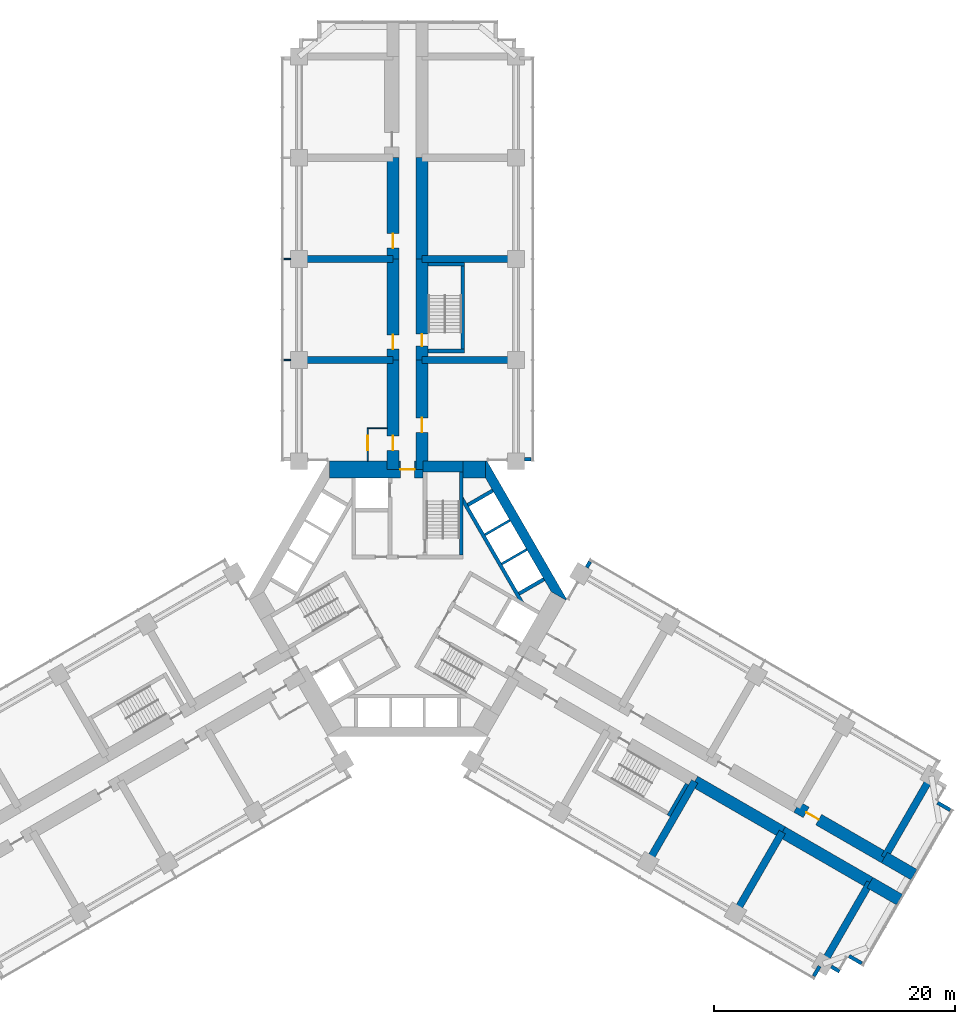
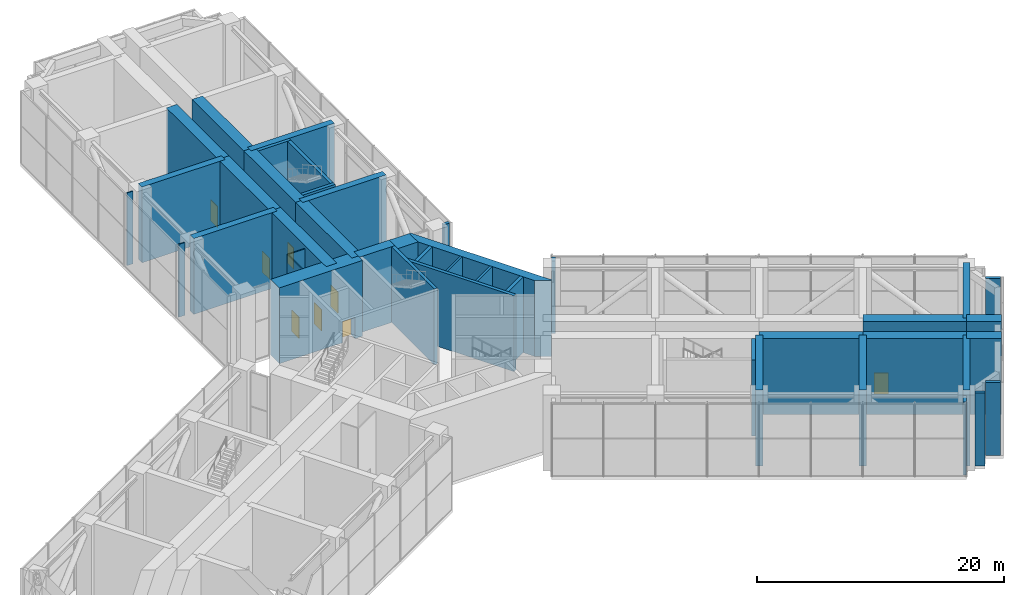
# One storey, part 15 of 19: 43 walls, 8 doors, 8 openings.
"""IFC4 building model written with IfcOpenShell, lengths in metres."""

from ifc_helpers import new_model, si_unit, direction, frame, frame_2d, origin, place, context, subcontext, project, spatial, polyline, rectangle, outline, extrude, material, layer, layer_set, type_object, element, fill, save


model = new_model("IFC4")

# Units and contexts
model_context = context("Model", 3, precision=1e-05, world=origin(), true_north=direction((0.0, 1.0)))
body_context = subcontext(model_context, "Body", "Model", "MODEL_VIEW")
ifc_project = project(units=[si_unit("LENGTHUNIT", "METRE"), si_unit("AREAUNIT", "SQUARE_METRE"), si_unit("VOLUMEUNIT", "CUBIC_METRE"), si_unit("PLANEANGLEUNIT", "RADIAN"), si_unit("MASSUNIT", "GRAM", prefix="KILO")], contexts=[model_context])

# Site, building, storey
site_placement = place(None, origin())
site = spatial("IfcSite", under=ifc_project, at=site_placement, CompositionType="ELEMENT")
building_placement = place(site_placement, origin())
building = spatial("IfcBuilding", under=site, at=building_placement, Name="Impinga Residences", CompositionType="ELEMENT")
storey_placement = place(building_placement, frame((0.0, 0.0, 93.5)))
storey = spatial("IfcBuildingStorey", under=building, at=storey_placement, Name="L23", CompositionType="ELEMENT", Elevation=93.5)

# Wall, opening, door
ifc_material_1 = material(Name="Concrete blockwork", Category="masonry")
ifc_layer_1 = layer(ifc_material_1, 0.10009765625)
ifc_layer_set_1 = layer_set([ifc_layer_1], Name="CP1 core room partition, blockwork 100")
wall_type_1 = type_object("IfcWallType", Name="CP1 core room partition, blockwork 100", PredefinedType="PARTITIONING", material=ifc_layer_set_1)
wall_1_placement = place(storey_placement, frame((-3.300048828125, 11.431640625, 0.0), z_axis=(0.0, 0.0, 1.0), x_axis=(0.0, 1.0, 0.0)))
wall_1 = element("IfcWall", 1, at=wall_1_placement, inside=storey, type_object=wall_type_1, Name="Core room partition, blockwork L23-NA1:L1", PredefinedType="PARTITIONING", context=body_context, shape_type="SweptSolid", body=[
    extrude(rectangle(XDim=2.7998046875, YDim=0.10009765625, at=frame_2d((1.39990234375, 0.0))), origin(), (0.0, 0.0, 1.0), 7.199951171875),
])
opening_1_placement = place(wall_1_placement, frame((0.89990234375, 0.0, 0.0)))
opening_1 = element("IfcOpeningElement", 2, at=opening_1_placement, cuts=wall_1, Name="Opening D3", PredefinedType="OPENING", context=body_context, shape_type="SweptSolid", body=[
    extrude(rectangle(XDim=1.199951171875, YDim=2.10009765625, at=frame_2d((0.60009765625, 1.050048828125))), frame((0.0, 0.06005859375, 0.0), z_axis=(0.0, -1.0, 0.0), x_axis=(1.0, 0.0, 0.0)), (0.0, 0.0, 1.0), 0.1201171875),
])
ifc_material_2 = material(Name="Timber door set", Category="wood")
door_type_1 = type_object("IfcDoorType", Name="D3 room door, leaf and a half 1200x2100", OperationType="DOUBLE_SWING_LEFT", PredefinedType="DOOR", material=ifc_material_2)
door_1_placement = place(opening_1_placement, origin())
door_1 = element("IfcDoor", 3, at=door_1_placement, inside=storey, type_object=door_type_1, Name="Air handling plant room door L23-NA1", OperationType="DOUBLE_SWING_LEFT", OverallHeight=2.10009765625, OverallWidth=1.199951171875, PredefinedType="DOOR", context=body_context, shape_type="SweptSolid", body=[
    extrude(rectangle(XDim=1.199951171875, YDim=2.10009765625, at=frame_2d((0.60009765625, 1.050048828125))), frame((0.0, 0.02490234375, 0.0), z_axis=(0.0, -1.0, 0.0), x_axis=(1.0, 0.0, 0.0)), (0.0, 0.0, 1.0), 0.050048828125),
])
fill(opening_1, door_1)

# Walls
wall_2_placement = place(storey_placement, frame((-1.699951171875, 14.181640625, 0.0), z_axis=(0.0, 0.0, 1.0), x_axis=(-1.0, 0.0, 0.0)))
element("IfcWall", 4, at=wall_2_placement, inside=storey, type_object=wall_type_1, Name="Core room partition, blockwork L23-NA1:L2", PredefinedType="PARTITIONING", context=body_context, shape_type="SweptSolid", body=[
    extrude(rectangle(XDim=1.550048828125, YDim=0.10009765625, at=frame_2d((0.77490234375, 0.0))), origin(), (0.0, 0.0, 1.0), 7.199951171875),
])
for number, where, z_axis, x_axis, name in (
    (5, (-9.699951171875, 19.83154296875, 0.0), (0.0, 0.0, 1.0), (-1.0, 0.0, 0.0), "Core room partition, blockwork L23-NA1:PS1b"),
    (6, (-9.699951171875, 28.2314453125, 0.0), (0.0, 0.0, 1.0), (-1.0, 0.0, 0.0), "Core room partition, blockwork L23-NA1:PS2b"),
):
    element("IfcWall", number, at=place(storey_placement, frame(where, z_axis=z_axis, x_axis=x_axis)), inside=storey, type_object=wall_type_1, Name=name, PredefinedType="PARTITIONING", context=body_context, shape_type="SweptSolid", body=[
        extrude(rectangle(XDim=0.5595703125, YDim=0.10009765625, at=frame_2d((0.27978515625, 0.0))), origin(), (0.0, 0.0, 1.0), 7.199951171875),
    ])
ifc_material_3 = material(Name="Stone facing on blockwork", Category="masonry")
ifc_layer_2 = layer(ifc_material_3, 0.300048828125)
ifc_layer_set_2 = layer_set([ifc_layer_2], Name="EW2 external wall, stone facing on blockwork 300")
wall_type_2 = type_object("IfcWallType", Name="EW2 external wall, stone facing on blockwork 300", PredefinedType="SOLIDWALL", material=ifc_layer_set_2)
wall_3_placement = place(storey_placement, frame((10.257568359375, 11.58154296875, 0.0), z_axis=(0.0, 0.0, 1.0), x_axis=(-1.0, 0.0, 0.0)))
element("IfcWall", 7, at=wall_3_placement, inside=storey, type_object=wall_type_2, Name="External wall EW2 L23", PredefinedType="SOLIDWALL", context=body_context, shape_type="SweptSolid", body=[
    extrude(rectangle(XDim=0.5546875, YDim=0.300048828125, at=frame_2d((0.27734375, 0.0))), origin(), (0.0, 0.0, 1.0), 7.199951171875),
])
wall_4_placement = place(storey_placement, frame((14.88134765625, 2.6123046875, 0.0), z_axis=(0.0, 0.0, 1.0), x_axis=(0.50011622646, 0.865958290007, 0.0)))
element("IfcWall", 8, at=wall_4_placement, inside=storey, type_object=wall_type_2, Name="External wall EW2 L23", PredefinedType="SOLIDWALL", context=body_context, shape_type="SweptSolid", body=[
    extrude(rectangle(XDim=0.554443359375, YDim=0.300048828125, at=frame_2d((0.27734375, 0.0))), origin(), (0.0, 0.0, 1.0), 7.199951171875),
])
for number, where, z_axis, x_axis, name in (
    (9, (44.00927734375, -16.921630859375, 0.0), (0.0, 0.0, 1.0), (0.865971428223, -0.500093476763, 0.0), "External wall EW2 L23"),
    (10, (37.71142578125, -30.259765625, 0.0), (0.0, 0.0, 1.0), (-0.866058436235, 0.499942781752, 0.0), "External wall EW2 L23"),
):
    element("IfcWall", number, at=place(storey_placement, frame(where, z_axis=z_axis, x_axis=x_axis)), inside=storey, type_object=wall_type_2, Name=name, PredefinedType="SOLIDWALL", context=body_context, shape_type="SweptSolid", body=[
        extrude(rectangle(XDim=1.215087890625, YDim=0.300048828125, at=frame_2d((0.607421875, 0.0))), origin(), (0.0, 0.0, 1.0), 7.199951171875),
    ])
wall_5_placement = place(storey_placement, frame((35.87255859375, -30.93017578125, 0.0), z_axis=(0.0, 0.0, 1.0), x_axis=(-0.865915193073, 0.500190841984, 0.0)))
element("IfcWall", 11, at=wall_5_placement, inside=storey, type_object=wall_type_2, Name="External wall EW2 L23", PredefinedType="SOLIDWALL", context=body_context, shape_type="SweptSolid", body=[
    extrude(rectangle(XDim=0.797119140625, YDim=0.300048828125, at=frame_2d((0.3984375, 0.0))), origin(), (0.0, 0.0, 1.0), 7.199951171875),
])
wall_6_placement = place(storey_placement, frame((34.218505859375, -30.494873046875, 0.0), z_axis=(0.0, 0.0, 1.0), x_axis=(-0.500060909899, -0.865990234582, 0.0)))
element("IfcWall", 12, at=wall_6_placement, inside=storey, type_object=wall_type_2, Name="External wall EW2 L23", PredefinedType="SOLIDWALL", context=body_context, shape_type="SweptSolid", body=[
    extrude(rectangle(XDim=0.95751953125, YDim=0.300048828125, at=frame_2d((0.478759765625, 0.0))), origin(), (0.0, 0.0, 1.0), 7.199951171875),
])

# Wall, opening, door
ifc_material_4 = material(Name="Concrete C60/75", Category="concrete")
ifc_layer_3 = layer(ifc_material_4, 1.0)
ifc_layer_set_3 = layer_set([ifc_layer_3], Name="Concrete C60/75")
wall_type_3 = type_object("IfcWallType", Name="OW1 outrigger wall on the corridor line 1000", PredefinedType="SHEAR", material=ifc_layer_set_3)
wall_7_placement = place(storey_placement, frame((-1.199951171875, 10.7314453125, 0.0), z_axis=(0.0, 0.0, 1.0), x_axis=(0.0, 1.0, 0.0)))
wall_7 = element("IfcWall", 13, at=wall_7_placement, inside=storey, type_object=wall_type_3, Name="Corridor wall OW1 NC L23", PredefinedType="SHEAR", context=body_context, shape_type="SweptSolid", body=[
    extrude(rectangle(XDim=9.10009765625, YDim=1.0, at=frame_2d((4.550048828125, 0.0))), origin(), (0.0, 0.0, 1.0), 7.5),
])
opening_2_placement = place(wall_7_placement, frame((1.60009765625, 0.0, 0.0)))
opening_2 = element("IfcOpeningElement", 14, at=opening_2_placement, cuts=wall_7, Name="Opening D3", PredefinedType="OPENING", context=body_context, shape_type="SweptSolid", body=[
    extrude(rectangle(XDim=1.199951171875, YDim=2.10009765625, at=frame_2d((0.60009765625, 1.050048828125))), frame((0.0, 0.510009765625, 0.0), z_axis=(0.0, -1.0, 0.0), x_axis=(1.0, 0.0, 0.0)), (0.0, 0.0, 1.0), 1.02001953125),
])
door_2_placement = place(opening_2_placement, origin())
door_2 = element("IfcDoor", 15, at=door_2_placement, inside=storey, type_object=door_type_1, Name="Plant room lobby door L23-NA1", OperationType="DOUBLE_SWING_LEFT", OverallHeight=2.10009765625, OverallWidth=1.199951171875, PredefinedType="DOOR", context=body_context, shape_type="SweptSolid", body=[
    extrude(rectangle(XDim=1.199951171875, YDim=2.10009765625, at=frame_2d((0.60009765625, 1.050048828125))), frame((0.0, 0.02490234375, 0.0), z_axis=(0.0, -1.0, 0.0), x_axis=(1.0, 0.0, 0.0)), (0.0, 0.0, 1.0), 0.050048828125),
])
fill(opening_2, door_2)

wall_8_placement = place(storey_placement, frame((-1.199951171875, 19.83154296875, 0.0), z_axis=(0.0, 0.0, 1.0), x_axis=(0.0, 1.0, 0.0)))
wall_8 = element("IfcWall", 16, at=wall_8_placement, inside=storey, type_object=wall_type_3, Name="Corridor wall OW1 NC L23", PredefinedType="SHEAR", context=body_context, shape_type="SweptSolid", body=[
    extrude(rectangle(XDim=8.39990234375, YDim=1.0, at=frame_2d((4.199951171875, 0.0))), origin(), (0.0, 0.0, 1.0), 7.5),
])
opening_3_placement = place(wall_8_placement, frame((0.89990234375, 0.0, 0.0)))
opening_3 = element("IfcOpeningElement", 17, at=opening_3_placement, cuts=wall_8, Name="Opening D3", PredefinedType="OPENING", context=body_context, shape_type="SweptSolid", body=[
    extrude(rectangle(XDim=1.199951171875, YDim=2.10009765625, at=frame_2d((0.60009765625, 1.050048828125))), frame((0.0, 0.510009765625, 0.0), z_axis=(0.0, -1.0, 0.0), x_axis=(1.0, 0.0, 0.0)), (0.0, 0.0, 1.0), 1.02001953125),
])
door_3_placement = place(opening_3_placement, origin())
door_3 = element("IfcDoor", 18, at=door_3_placement, inside=storey, type_object=door_type_1, Name="Booster pump plant room door L23-NA1", OperationType="DOUBLE_SWING_LEFT", OverallHeight=2.10009765625, OverallWidth=1.199951171875, PredefinedType="DOOR", context=body_context, shape_type="SweptSolid", body=[
    extrude(rectangle(XDim=1.199951171875, YDim=2.10009765625, at=frame_2d((0.60009765625, 1.050048828125))), frame((0.0, 0.02490234375, 0.0), z_axis=(0.0, -1.0, 0.0), x_axis=(1.0, 0.0, 0.0)), (0.0, 0.0, 1.0), 0.050048828125),
])
fill(opening_3, door_3)

wall_9_placement = place(storey_placement, frame((-1.199951171875, 28.2314453125, 0.0), z_axis=(0.0, 0.0, 1.0), x_axis=(0.0, 1.0, 0.0)))
wall_9 = element("IfcWall", 19, at=wall_9_placement, inside=storey, type_object=wall_type_3, Name="Corridor wall OW1 NC L23", PredefinedType="SHEAR", context=body_context, shape_type="SweptSolid", body=[
    extrude(rectangle(XDim=8.400146484375, YDim=1.0, at=frame_2d((4.2001953125, 0.0))), origin(), (0.0, 0.0, 1.0), 7.5),
])
opening_4_placement = place(wall_9_placement, frame((0.89990234375, 0.0, 0.0)))
opening_4 = element("IfcOpeningElement", 20, at=opening_4_placement, cuts=wall_9, Name="Opening D3", PredefinedType="OPENING", context=body_context, shape_type="SweptSolid", body=[
    extrude(rectangle(XDim=1.199951171875, YDim=2.10009765625, at=frame_2d((0.60009765625, 1.050048828125))), frame((0.0, 0.510009765625, 0.0), z_axis=(0.0, -1.0, 0.0), x_axis=(1.0, 0.0, 0.0)), (0.0, 0.0, 1.0), 1.02001953125),
])
door_4_placement = place(opening_4_placement, origin())
door_4 = element("IfcDoor", 21, at=door_4_placement, inside=storey, type_object=door_type_1, Name="Electrical switchgear plant room door L23-NA1", OperationType="DOUBLE_SWING_LEFT", OverallHeight=2.10009765625, OverallWidth=1.199951171875, PredefinedType="DOOR", context=body_context, shape_type="SweptSolid", body=[
    extrude(rectangle(XDim=1.199951171875, YDim=2.10009765625, at=frame_2d((0.60009765625, 1.050048828125))), frame((0.0, 0.02490234375, 0.0), z_axis=(0.0, -1.0, 0.0), x_axis=(1.0, 0.0, 0.0)), (0.0, 0.0, 1.0), 0.050048828125),
])
fill(opening_4, door_4)

wall_10_placement = place(storey_placement, frame((1.199951171875, 10.7314453125, 0.0), z_axis=(0.0, 0.0, 1.0), x_axis=(0.0, 1.0, 0.0)))
wall_10 = element("IfcWall", 22, at=wall_10_placement, inside=storey, type_object=wall_type_3, Name="Corridor wall OW1 ND L23", PredefinedType="SHEAR", context=body_context, shape_type="SweptSolid", body=[
    extrude(rectangle(XDim=9.10009765625, YDim=1.0, at=frame_2d((4.550048828125, 0.0))), origin(), (0.0, 0.0, 1.0), 7.5),
])
opening_5_placement = place(wall_10_placement, frame((3.10009765625, 0.0, 0.0)))
opening_5 = element("IfcOpeningElement", 23, at=opening_5_placement, cuts=wall_10, Name="Opening D3", PredefinedType="OPENING", context=body_context, shape_type="SweptSolid", body=[
    extrude(rectangle(XDim=1.199951171875, YDim=2.10009765625, at=frame_2d((0.60009765625, 1.050048828125))), frame((0.0, 0.510009765625, 0.0), z_axis=(0.0, -1.0, 0.0), x_axis=(1.0, 0.0, 0.0)), (0.0, 0.0, 1.0), 1.02001953125),
])
door_5_placement = place(opening_5_placement, origin())
door_5 = element("IfcDoor", 24, at=door_5_placement, inside=storey, type_object=door_type_1, Name="Refuge area door L23-NF1", OperationType="DOUBLE_SWING_LEFT", OverallHeight=2.10009765625, OverallWidth=1.199951171875, PredefinedType="DOOR", context=body_context, shape_type="SweptSolid", body=[
    extrude(rectangle(XDim=1.199951171875, YDim=2.10009765625, at=frame_2d((0.60009765625, 1.050048828125))), frame((0.0, 0.02490234375, 0.0), z_axis=(0.0, -1.0, 0.0), x_axis=(1.0, 0.0, 0.0)), (0.0, 0.0, 1.0), 0.050048828125),
])
fill(opening_5, door_5)

wall_11_placement = place(storey_placement, frame((1.199951171875, 19.83154296875, 0.0), z_axis=(0.0, 0.0, 1.0), x_axis=(0.0, 1.0, 0.0)))
wall_11 = element("IfcWall", 25, at=wall_11_placement, inside=storey, type_object=wall_type_3, Name="Corridor wall OW1 ND L23", PredefinedType="SHEAR", context=body_context, shape_type="SweptSolid", body=[
    extrude(rectangle(XDim=8.39990234375, YDim=1.0, at=frame_2d((4.199951171875, 0.0))), origin(), (0.0, 0.0, 1.0), 7.5),
])
opening_6_placement = place(wall_11_placement, frame((1.14990234375, 0.0, 0.0)))
opening_6 = element("IfcOpeningElement", 26, at=opening_6_placement, cuts=wall_11, Name="Opening D5", PredefinedType="OPENING", context=body_context, shape_type="SweptSolid", body=[
    extrude(rectangle(XDim=1.0, YDim=2.10009765625, at=frame_2d((0.5, 1.050048828125))), frame((0.0, 0.510009765625, 0.0), z_axis=(0.0, -1.0, 0.0), x_axis=(1.0, 0.0, 0.0)), (0.0, 0.0, 1.0), 1.02001953125),
])
door_type_2 = type_object("IfcDoorType", Name="D5 stair door 1000x2100", OperationType="SINGLE_SWING_LEFT", PredefinedType="DOOR", material=ifc_material_2)
door_6_placement = place(opening_6_placement, origin())
door_6 = element("IfcDoor", 27, at=door_6_placement, inside=storey, type_object=door_type_2, Name="Wing stair door N", OperationType="SINGLE_SWING_LEFT", OverallHeight=2.10009765625, OverallWidth=1.0, PredefinedType="DOOR", context=body_context, shape_type="SweptSolid", body=[
    extrude(rectangle(XDim=1.0, YDim=2.10009765625, at=frame_2d((0.5, 1.050048828125))), frame((0.0, 0.02490234375, 0.0), z_axis=(0.0, -1.0, 0.0), x_axis=(1.0, 0.0, 0.0)), (0.0, 0.0, 1.0), 0.050048828125),
])
fill(opening_6, door_6)

# Wall
wall_12_placement = place(storey_placement, frame((1.199951171875, 28.2314453125, 0.0), z_axis=(0.0, 0.0, 1.0), x_axis=(0.0, 1.0, 0.0)))
element("IfcWall", 28, at=wall_12_placement, inside=storey, type_object=wall_type_3, Name="Corridor wall OW1 ND L23", PredefinedType="SHEAR", context=body_context, shape_type="SweptSolid", body=[
    extrude(rectangle(XDim=8.400146484375, YDim=1.0, at=frame_2d((4.2001953125, 0.0))), origin(), (0.0, 0.0, 1.0), 7.5),
])

# Wall, opening, door
wall_13_placement = place(storey_placement, frame((32.32373046875, -17.276611328125, 0.0), z_axis=(0.0, 0.0, 1.0), x_axis=(0.86602925447, -0.499993330357, 0.0)))
wall_13 = element("IfcWall", 29, at=wall_13_placement, inside=storey, type_object=wall_type_3, Name="Corridor wall OW1 EC L23", PredefinedType="SHEAR", context=body_context, shape_type="SweptSolid", body=[
    extrude(rectangle(XDim=8.39990234375, YDim=1.0, at=frame_2d((4.199951171875, 0.0))), origin(), (0.0, 0.0, 1.0), 7.5),
])
opening_7_placement = place(wall_13_placement, frame((0.89990234375, 0.0, 0.0)))
opening_7 = element("IfcOpeningElement", 30, at=opening_7_placement, cuts=wall_13, Name="Opening D3", PredefinedType="OPENING", context=body_context, shape_type="SweptSolid", body=[
    extrude(rectangle(XDim=1.199951171875, YDim=2.10009765625, at=frame_2d((0.60009765625, 1.050048828125))), frame((0.0, 0.510009765625, 0.0), z_axis=(0.0, -1.0, 0.0), x_axis=(1.0, 0.0, 0.0)), (0.0, 0.0, 1.0), 1.02001953125),
])
door_7_placement = place(opening_7_placement, origin())
door_7 = element("IfcDoor", 31, at=door_7_placement, inside=storey, type_object=door_type_1, Name="Generator plant room door L23-EA1", OperationType="DOUBLE_SWING_LEFT", OverallHeight=2.10009765625, OverallWidth=1.199951171875, PredefinedType="DOOR", context=body_context, shape_type="SweptSolid", body=[
    extrude(rectangle(XDim=1.199951171875, YDim=2.10009765625, at=frame_2d((0.60009765625, 1.050048828125))), frame((0.0, 0.02490234375, 0.0), z_axis=(0.0, -1.0, 0.0), x_axis=(1.0, 0.0, 0.0)), (0.0, 0.0, 1.0), 0.050048828125),
])
fill(opening_7, door_7)

# Walls
wall_14_placement = place(storey_placement, frame((39.598388671875, -21.4765625, 0.0), z_axis=(0.0, 0.0, 1.0), x_axis=(0.866043818878, -0.499968102766, 0.0)))
element("IfcWall", 32, at=wall_14_placement, inside=storey, type_object=wall_type_3, Name="Corridor wall OW1 EC L23", PredefinedType="SHEAR", context=body_context, shape_type="SweptSolid", body=[
    extrude(rectangle(XDim=2.839111328125, YDim=1.0, at=frame_2d((1.41943359375, 0.0))), origin(), (0.0, 0.0, 1.0), 7.5),
])
for number, where, z_axis, x_axis, name in (
    (33, (23.84912109375, -15.155029296875, 0.0), (0.0, 0.0, 1.0), (0.86602925447, -0.499993330357, 0.0), "Corridor wall OW1 ED L23"),
    (34, (31.123779296875, -19.35498046875, 0.0), (0.0, 0.0, 1.0), (0.86602925447, -0.499993330357, 0.0), "Corridor wall OW1 ED L23"),
):
    element("IfcWall", number, at=place(storey_placement, frame(where, z_axis=z_axis, x_axis=x_axis)), inside=storey, type_object=wall_type_3, Name=name, PredefinedType="SHEAR", context=body_context, shape_type="SweptSolid", body=[
        extrude(rectangle(XDim=8.39990234375, YDim=1.0, at=frame_2d((4.199951171875, 0.0))), origin(), (0.0, 0.0, 1.0), 7.5),
    ])
wall_15_placement = place(storey_placement, frame((38.3984375, -23.554931640625, 0.0), z_axis=(0.0, 0.0, 1.0), x_axis=(0.866006583242, -0.500032596719, 0.0)))
element("IfcWall", 35, at=wall_15_placement, inside=storey, type_object=wall_type_3, Name="Corridor wall OW1 ED L23", PredefinedType="SHEAR", context=body_context, shape_type="SweptSolid", body=[
    extrude(rectangle(XDim=2.839111328125, YDim=1.0, at=frame_2d((1.41943359375, 0.0))), origin(), (0.0, 0.0, 1.0), 7.5),
])
ifc_layer_4 = layer(ifc_material_4, 0.60009765625)
ifc_layer_set_4 = layer_set([ifc_layer_4], Name="Concrete C60/75")
wall_type_4 = type_object("IfcWallType", Name="OW2 outrigger arm wall to the perimeter columns 600", PredefinedType="SHEAR", material=ifc_layer_set_4)
for number, where, z_axis, x_axis, name in (
    (36, (-1.199951171875, 19.83154296875, 0.0), (0.0, 0.0, 1.0), (-1.0, 0.0, 0.0), "Outrigger wall OW2 N2/NA L23"),
    (37, (1.199951171875, 19.83154296875, 0.0), (0.0, 0.0, 1.0), (1.0, 0.0, 0.0), "Outrigger wall OW2 N2/NF L23"),
    (38, (-1.199951171875, 28.2314453125, 0.0), (0.0, 0.0, 1.0), (-1.0, 0.0, 0.0), "Outrigger wall OW2 N3/NA L23"),
    (39, (1.199951171875, 28.2314453125, 0.0), (0.0, 0.0, 1.0), (1.0, 0.0, 0.0), "Outrigger wall OW2 N3/NF L23"),
):
    element("IfcWall", number, at=place(storey_placement, frame(where, z_axis=z_axis, x_axis=x_axis)), inside=storey, type_object=wall_type_4, Name=name, PredefinedType="SHEAR", context=body_context, shape_type="SweptSolid", body=[
        extrude(rectangle(XDim=7.800048828125, YDim=0.60009765625, at=frame_2d((3.89990234375, 0.0))), origin(), (0.0, 0.0, 1.0), 7.5),
    ])
wall_16_placement = place(storey_placement, frame((23.84912109375, -15.155029296875, 0.0), z_axis=(0.0, 0.0, 1.0), x_axis=(-0.499997012787, -0.866027128446, 0.0)))
element("IfcWall", 40, at=wall_16_placement, inside=storey, type_object=wall_type_4, Name="Outrigger wall OW2 E3/EF L23", PredefinedType="SHEAR", context=body_context, shape_type="SweptSolid", body=[
    extrude(rectangle(XDim=7.7998046875, YDim=0.60009765625, at=frame_2d((3.89990234375, 0.0))), origin(), (0.0, 0.0, 1.0), 7.5),
])
wall_17_placement = place(storey_placement, frame((31.123779296875, -19.35498046875, 0.0), z_axis=(0.0, 0.0, 1.0), x_axis=(-0.499983459557, -0.866034953203, 0.0)))
element("IfcWall", 41, at=wall_17_placement, inside=storey, type_object=wall_type_4, Name="Outrigger wall OW2 E4/EF L23", PredefinedType="SHEAR", context=body_context, shape_type="SweptSolid", body=[
    extrude(rectangle(XDim=7.800048828125, YDim=0.60009765625, at=frame_2d((3.89990234375, 0.0))), origin(), (0.0, 0.0, 1.0), 7.5),
])
wall_18_placement = place(storey_placement, frame((39.598388671875, -21.4765625, 0.0), z_axis=(0.0, 0.0, 1.0), x_axis=(0.500006934395, 0.866021400173, 0.0)))
element("IfcWall", 42, at=wall_18_placement, inside=storey, type_object=wall_type_4, Name="Outrigger wall OW2 E5/EA L23", PredefinedType="SHEAR", context=body_context, shape_type="SweptSolid", body=[
    extrude(rectangle(XDim=7.80029296875, YDim=0.60009765625, at=frame_2d((3.900146484375, 0.0))), origin(), (0.0, 0.0, 1.0), 7.5),
])
wall_19_placement = place(storey_placement, frame((38.3984375, -23.554931640625, 0.0), z_axis=(0.0, 0.0, 1.0), x_axis=(-0.499983459557, -0.866034953203, 0.0)))
element("IfcWall", 43, at=wall_19_placement, inside=storey, type_object=wall_type_4, Name="Outrigger wall OW2 E5/EF L23", PredefinedType="SHEAR", context=body_context, shape_type="SweptSolid", body=[
    extrude(rectangle(XDim=7.800048828125, YDim=0.60009765625, at=frame_2d((3.89990234375, 0.0))), origin(), (0.0, 0.0, 1.0), 7.5),
])
ifc_layer_5 = layer(ifc_material_4, 0.300048828125)
ifc_layer_set_5 = layer_set([ifc_layer_5], Name="Concrete C60/75")
wall_type_5 = type_object("IfcWallType", Name="SE1 wing stair enclosure wall 300", PredefinedType="SOLIDWALL", material=ifc_layer_set_5)
for number, where, z_axis, x_axis, name in (
    (44, (1.699951171875, 20.58154296875, 0.0), (0.0, 0.0, 1.0), (1.0, 0.0, 0.0), "Stair enclosure wall SE1 N END0 L23"),
    (45, (1.699951171875, 27.781494140625, 0.0), (0.0, 0.0, 1.0), (1.0, 0.0, 0.0), "Stair enclosure wall SE1 N END1 L23"),
):
    element("IfcWall", number, at=place(storey_placement, frame(where, z_axis=z_axis, x_axis=x_axis)), inside=storey, type_object=wall_type_5, Name=name, PredefinedType="SOLIDWALL", context=body_context, shape_type="SweptSolid", body=[
        extrude(rectangle(XDim=3.050048828125, YDim=0.300048828125, at=frame_2d((1.52490234375, 0.0))), origin(), (0.0, 0.0, 1.0), 7.5),
    ])
wall_20_placement = place(storey_placement, frame((4.60009765625, 20.7314453125, 0.0), z_axis=(0.0, 0.0, 1.0), x_axis=(0.0, 1.0, 0.0)))
element("IfcWall", 46, at=wall_20_placement, inside=storey, type_object=wall_type_5, Name="Stair enclosure wall SE1 N OUT L23", PredefinedType="SOLIDWALL", context=body_context, shape_type="SweptSolid", body=[
    extrude(rectangle(XDim=6.900146484375, YDim=0.300048828125, at=frame_2d((3.4501953125, 0.0))), origin(), (0.0, 0.0, 1.0), 7.5),
])
wall_21_placement = place(storey_placement, frame((23.20947265625, -15.363037109375, 0.0), z_axis=(0.0, 0.0, 1.0), x_axis=(-0.499978833458, -0.866037623948, 0.0)))
element("IfcWall", 47, at=wall_21_placement, inside=storey, type_object=wall_type_5, Name="Stair enclosure wall SE1 E END1 L23", PredefinedType="SOLIDWALL", context=body_context, shape_type="SweptSolid", body=[
    extrude(rectangle(XDim=3.050048828125, YDim=0.300048828125, at=frame_2d((1.52490234375, 0.0))), origin(), (0.0, 0.0, 1.0), 7.5),
])
ifc_material_5 = material(Name="Concrete C70/85", Category="concrete")
ifc_layer_6 = layer(ifc_material_5, 0.89990234375)
ifc_layer_set_6 = layer_set([ifc_layer_6], Name="Concrete C70/85")
wall_type_6 = type_object("IfcWallType", Name="SW1 core wall 900", PredefinedType="SHEAR", material=ifc_layer_set_6)
wall_22_placement = place(storey_placement, frame((1.300048828125, 10.9814453125, 0.0), z_axis=(0.0, 0.0, 1.0), x_axis=(1.0, 0.0, 0.0)))
element("IfcWall", 48, at=wall_22_placement, inside=storey, type_object=wall_type_6, Name="Core wall SW1 N:FACE:ST L23", PredefinedType="SHEAR", context=body_context, shape_type="SweptSolid", body=[
    extrude(rectangle(XDim=3.300048828125, YDim=0.89990234375, at=frame_2d((1.64990234375, 0.0))), origin(), (0.0, 0.0, 1.0), 7.5),
])
ifc_layer_7 = layer(ifc_material_4, 0.800048828125)
ifc_layer_set_7 = layer_set([ifc_layer_7], Name="Concrete C60/75")
wall_type_7 = type_object("IfcWallType", Name="SW2 core wall 800", PredefinedType="SHEAR", material=ifc_layer_set_7)
wall_23_placement = place(storey_placement, origin())
element("IfcWall", 49, at=wall_23_placement, inside=storey, type_object=wall_type_7, Name="Core wall SW2 W:EXPOSED L23", PredefinedType="SHEAR", context=body_context, shape_type="SweptSolid", body=[
    extrude(outline(polyline([(13.199951171875, 0.0), (6.60009765625, 11.431640625), (6.484619140625, 11.431640625), (6.484619140625, 10.031494140625), (11.929931640625, 0.60009765625), (13.142333984375, -0.10009765625), (13.199951171875, 0.0)])), origin(), (0.0, 0.0, 1.0), 7.5),
])
ifc_layer_8 = layer(ifc_material_5, 0.300048828125)
ifc_layer_set_8 = layer_set([ifc_layer_8], Name="Concrete C70/85")
wall_type_8 = type_object("IfcWallType", Name="SW5 core inner wall, stairs, shafts and lobbies 300", PredefinedType="SHEAR", material=ifc_layer_set_8)
wall_24_placement = place(storey_placement, frame((4.449951171875, 3.6298828125, 0.0), z_axis=(0.0, 0.0, 1.0), x_axis=(0.0, 1.0, 0.0)))
element("IfcWall", 50, at=wall_24_placement, inside=storey, type_object=wall_type_8, Name="Core wall SW5 N:ST-OUT L23", PredefinedType="SHEAR", context=body_context, shape_type="SweptSolid", body=[
    extrude(rectangle(XDim=6.901611328125, YDim=0.300048828125, at=frame_2d((3.45068359375, 0.0))), origin(), (0.0, 0.0, 1.0), 7.5),
])
wall_25_placement = place(storey_placement, frame((4.449951171875, 8.455322265625, 0.0), z_axis=(0.0, 0.0, 1.0), x_axis=(0.500002290144, -0.866024081565, 0.0)))
element("IfcWall", 51, at=wall_25_placement, inside=storey, type_object=wall_type_8, Name="Core wall SW5 W:BANK-FRONT L23", PredefinedType="SHEAR", context=body_context, shape_type="SweptSolid", body=[
    extrude(rectangle(XDim=10.1953125, YDim=0.300048828125, at=frame_2d((5.09765625, 0.0))), origin(), (0.0, 0.0, 1.0), 7.5),
])
for number, where, z_axis, x_axis, name in (
    (52, (5.003662109375, 7.79638671875, 0.0), (0.0, 0.0, 1.0), (0.866050077142, 0.499957262057, 0.0), "Core wall SW5 W:BANK-L L23"),
    (53, (9.253662109375, 0.43505859375, 0.0), (0.0, 0.0, 1.0), (0.866006032174, 0.500033551112, 0.0), "Core wall SW5 W:BANK-R L23"),
):
    element("IfcWall", number, at=place(storey_placement, frame(where, z_axis=z_axis, x_axis=x_axis)), inside=storey, type_object=wall_type_8, Name=name, PredefinedType="SHEAR", context=body_context, shape_type="SweptSolid", body=[
        extrude(rectangle(XDim=2.400146484375, YDim=0.300048828125, at=frame_2d((1.2001953125, 0.0))), origin(), (0.0, 0.0, 1.0), 7.5),
    ])
ifc_layer_9 = layer(ifc_material_5, 0.199951171875)
ifc_layer_set_9 = layer_set([ifc_layer_9], Name="Concrete C70/85")
wall_type_9 = type_object("IfcWallType", Name="SW6 lift shaft divider wall 200", PredefinedType="SHEAR", material=ifc_layer_set_9)
wall_26_placement = place(storey_placement, frame((6.4287109375, 5.328125, 0.0), z_axis=(0.0, 0.0, 1.0), x_axis=(0.865980596518, 0.500077600433, 0.0)))
element("IfcWall", 54, at=wall_26_placement, inside=storey, type_object=wall_type_9, Name="Core wall SW6 W:BANK-D1 L23", PredefinedType="SHEAR", context=body_context, shape_type="SweptSolid", body=[
    extrude(rectangle(XDim=2.39990234375, YDim=0.199951171875, at=frame_2d((1.199951171875, 0.0))), origin(), (0.0, 0.0, 1.0), 7.5),
])
wall_27_placement = place(storey_placement, frame((7.82861328125, 2.9033203125, 0.0), z_axis=(0.0, 0.0, 1.0), x_axis=(0.866050077142, 0.499957262057, 0.0)))
element("IfcWall", 55, at=wall_27_placement, inside=storey, type_object=wall_type_9, Name="Core wall SW6 W:BANK-D2 L23", PredefinedType="SHEAR", context=body_context, shape_type="SweptSolid", body=[
    extrude(rectangle(XDim=2.400146484375, YDim=0.199951171875, at=frame_2d((1.2001953125, 0.0))), origin(), (0.0, 0.0, 1.0), 7.5),
])

# Wall, opening, door
ifc_layer_10 = layer(ifc_material_4, 1.39990234375)
ifc_layer_set_10 = layer_set([ifc_layer_10], Name="Concrete C60/75")
wall_type_10 = type_object("IfcWallType", Name="SW8 core wall, outrigger storey L23 wing faces 1400", PredefinedType="SHEAR", material=ifc_layer_set_10)
wall_28_placement = place(storey_placement, frame((-6.484619140625, 10.7314453125, 0.0), z_axis=(0.0, 0.0, 1.0), x_axis=(1.0, 0.0, 0.0)))
wall_28 = element("IfcWall", 56, at=wall_28_placement, inside=storey, type_object=wall_type_10, Name="Core wall SW8 N:FACE L23", PredefinedType="SHEAR", context=body_context, shape_type="SweptSolid", body=[
    extrude(rectangle(XDim=7.78466796875, YDim=1.39990234375, at=frame_2d((3.892333984375, 0.0))), origin(), (0.0, 0.0, 1.0), 7.5),
])
opening_8_placement = place(wall_28_placement, frame((5.884521484375, 0.0, 0.0)))
opening_8 = element("IfcOpeningElement", 57, at=opening_8_placement, cuts=wall_28, Name="Opening D9", PredefinedType="OPENING", context=body_context, shape_type="SweptSolid", body=[
    extrude(rectangle(XDim=1.199951171875, YDim=2.10009765625, at=frame_2d((0.60009765625, 1.050048828125))), frame((0.0, 0.7099609375, 0.0), z_axis=(0.0, -1.0, 0.0), x_axis=(1.0, 0.0, 0.0)), (0.0, 0.0, 1.0), 1.419921875),
])
door_type_3 = type_object("IfcDoorType", Name="D9 firefighting lobby door, leaf and a half 1200x2100", OperationType="DOUBLE_SWING_LEFT", PredefinedType="DOOR", material=ifc_material_2)
door_8_placement = place(opening_8_placement, origin())
door_8 = element("IfcDoor", 58, at=door_8_placement, inside=storey, type_object=door_type_3, Name="Lobby door N", OperationType="DOUBLE_SWING_LEFT", OverallHeight=2.10009765625, OverallWidth=1.199951171875, PredefinedType="DOOR", context=body_context, shape_type="SweptSolid", body=[
    extrude(rectangle(XDim=1.199951171875, YDim=2.10009765625, at=frame_2d((0.60009765625, 1.050048828125))), frame((0.0, 0.02490234375, 0.0), z_axis=(0.0, -1.0, 0.0), x_axis=(1.0, 0.0, 0.0)), (0.0, 0.0, 1.0), 0.050048828125),
])
fill(opening_8, door_8)

# Wall
wall_29_placement = place(storey_placement, frame((4.60009765625, 10.7314453125, 0.0), z_axis=(0.0, 0.0, 1.0), x_axis=(1.0, 0.0, 0.0)))
element("IfcWall", 59, at=wall_29_placement, inside=storey, type_object=wall_type_10, Name="Core wall SW8 N:FACE:E L23", PredefinedType="SHEAR", context=body_context, shape_type="SweptSolid", body=[
    extrude(rectangle(XDim=1.884521484375, YDim=1.39990234375, at=frame_2d((0.9423828125, 0.0))), origin(), (0.0, 0.0, 1.0), 7.5),
])

save(model, "model.ifc")
